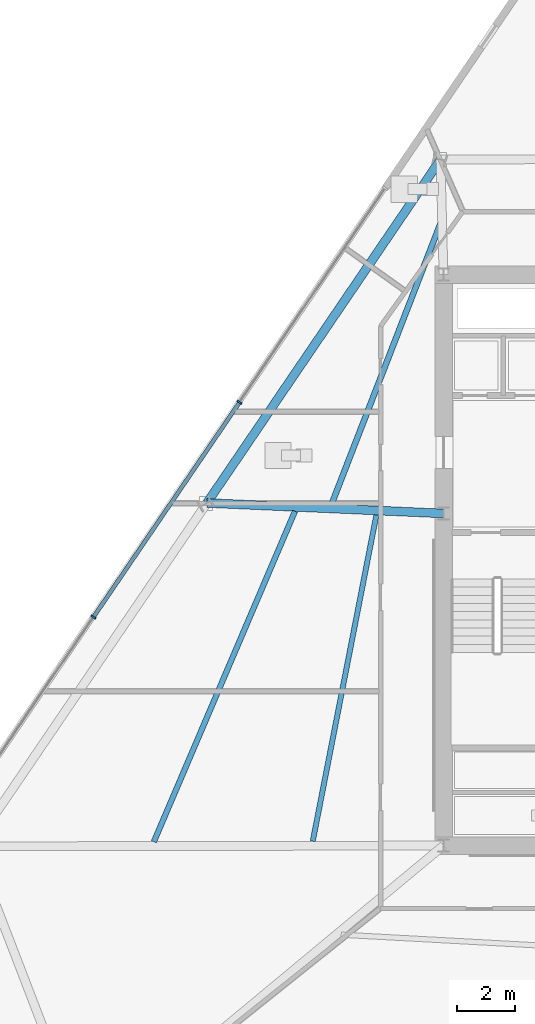
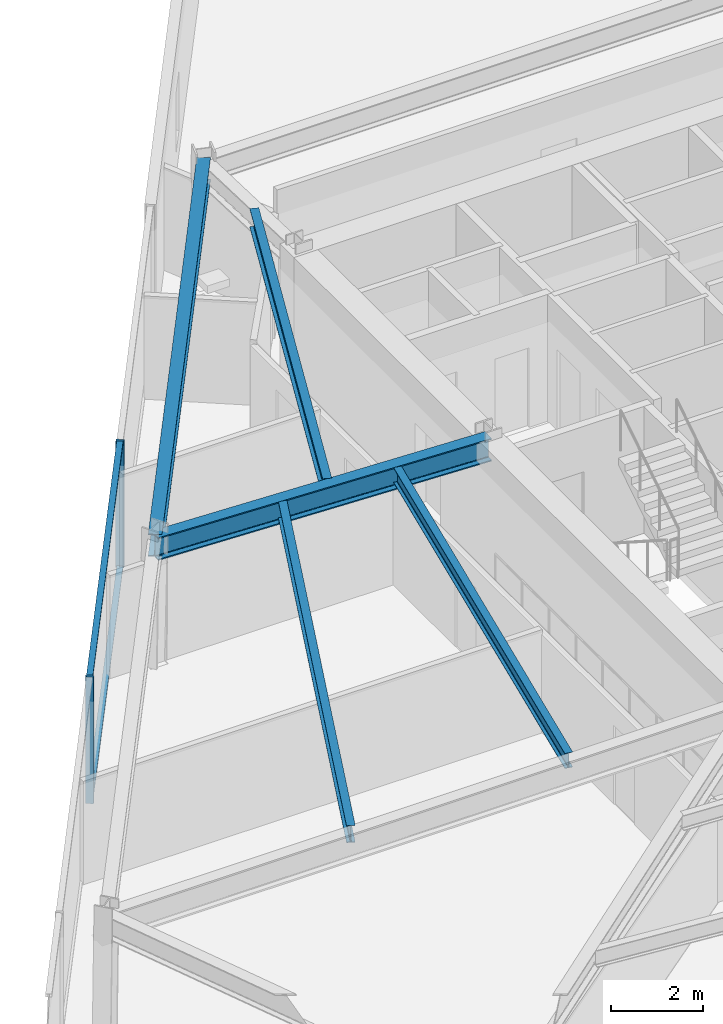
# One storey, part 4 of 18: 5 beams, 4 members, 1 element without a shape of its own.
"""IFC4 building model written with IfcOpenShell, lengths in metres."""

import ifcopenshell
import ifcopenshell.guid

model = None  # the IFC model being written
_history = None  # IfcOwnerHistory: only IFC2X3 demands one
_inside = {}  # id of a spatial element -> (the spatial element, [elements in it])
_under = {}  # id of a project, library or spatial element -> (it, [spatial elements below it])
_declared = {}  # id of a project -> (the project, [libraries it declares])
_typed = {}  # id of a type object -> (the type object, [elements of that type])
_made_of = {}  # id of a material, layer set ... -> (it, [elements and type objects made of it])


def new_model(schema):
    """Start an empty IFC model of exactly this schema.

    Asked for "IFC4X3", IfcOpenShell would pick the latest addendum, in which some entities
    have other attributes; the version numbers below select the first issue.
    IFC2X3 requires an IfcOwnerHistory on every rooted entity: one is made here for all.
    """
    global model, _history
    if schema == "IFC4X3":
        model = ifcopenshell.file(schema_version=(4, 3, 0, 0))
    else:
        model = ifcopenshell.file(schema=schema)
    _inside.clear()
    _under.clear()
    _declared.clear()
    _typed.clear()
    _made_of.clear()
    _history = None
    if model.schema == "IFC2X3":
        org = make("IfcOrganization", Name="unknown")
        user = make(
            "IfcPersonAndOrganization",
            ThePerson=make("IfcPerson", FamilyName="unknown"),
            TheOrganization=org,
        )
        app = make(
            "IfcApplication",
            ApplicationDeveloper=org,
            Version="unknown",
            ApplicationFullName="unknown",
            ApplicationIdentifier="unknown",
        )
        _history = make(
            "IfcOwnerHistory",
            OwningUser=user,
            OwningApplication=app,
            ChangeAction="ADDED",
            CreationDate=0,
        )
    return model


def make(cls, **values):
    """One entity of the class cls with the attributes given. An attribute that is None is left unset."""
    return model.create_entity(
        cls, **{name: value for name, value in values.items() if value is not None}
    )


def rooted(cls, **values):
    """An entity with a GlobalId (a new one), such as an element, a storey or a relation."""
    return make(cls, GlobalId=ifcopenshell.guid.new(), OwnerHistory=_history, **values)


def si_unit(unit_type, name, prefix=None):
    """IfcSIUnit, for example si_unit("LENGTHUNIT", "METRE", prefix="MILLI")."""
    return make("IfcSIUnit", UnitType=unit_type, Prefix=prefix, Name=name)


def assignment(units):
    """IfcUnitAssignment: the units of a project."""
    return None if units is None else make("IfcUnitAssignment", Units=units)


def point(xyz):
    """IfcCartesianPoint."""
    return None if xyz is None else make("IfcCartesianPoint", Coordinates=xyz)


def direction(xyz):
    """IfcDirection."""
    return None if xyz is None else make("IfcDirection", DirectionRatios=xyz)


def frame(location, z_axis=None, x_axis=None):
    """IfcAxis2Placement3D, a coordinate frame: its origin and axes. An axis left out is left unset."""
    return make(
        "IfcAxis2Placement3D",
        Location=point(location),
        Axis=direction(z_axis),
        RefDirection=direction(x_axis),
    )


def frame_2d(location, x_axis=None):
    """IfcAxis2Placement2D, a coordinate frame in the plane: its origin and x axis."""
    return make(
        "IfcAxis2Placement2D", Location=point(location), RefDirection=direction(x_axis)
    )


def origin():
    """The frame at (0, 0, 0) with its axes left unset."""
    return frame((0.0, 0.0, 0.0))


def origin_2d():
    """The frame at (0, 0) in the plane with its x axis left unset."""
    return frame_2d((0.0, 0.0))


def place(relative_to, where):
    """IfcLocalPlacement: puts the frame where relative to a parent placement (None: the world)."""
    return make(
        "IfcLocalPlacement", PlacementRelTo=relative_to, RelativePlacement=where
    )


def context(
    kind, dimensions, precision=None, world=None, true_north=None, identifier=None
):
    """IfcGeometricRepresentationContext, for example the 3D "Model" context."""
    return make(
        "IfcGeometricRepresentationContext",
        ContextIdentifier=identifier,
        ContextType=kind,
        CoordinateSpaceDimension=dimensions,
        Precision=precision,
        WorldCoordinateSystem=world,
        TrueNorth=true_north,
    )


def subcontext(parent, identifier, kind, view, scale=None):
    """IfcGeometricRepresentationSubContext, for example "Body" below "Model"."""
    return make(
        "IfcGeometricRepresentationSubContext",
        ContextIdentifier=identifier,
        ContextType=kind,
        ParentContext=parent,
        TargetScale=scale,
        TargetView=view,
    )


def project(units=None, contexts=None):
    """IfcProject with its units and contexts."""
    return rooted(
        "IfcProject",
        Name="project",
        RepresentationContexts=contexts,
        UnitsInContext=assignment(units),
    )


def spatial(cls, under=None, at=None, **own):
    """A site, building, storey or space (cls), placed at a placement, below another one or the project."""
    s = rooted(cls, ObjectPlacement=at, **own)
    if under is not None:
        _under.setdefault(under.id(), (under, []))[1].append(s)
    return s


def profile(cls, at=None, kind="AREA", **sizes):
    """A parametric profile (cls). Its sizes go by their IFC names, for example OverallWidth=200.0."""
    return make(cls, ProfileType=kind, Position=at, **sizes)


def rectangle(**sizes):
    """IfcRectangleProfileDef."""
    return profile("IfcRectangleProfileDef", **sizes)


def i_section(**sizes):
    """IfcIShapeProfileDef."""
    return profile("IfcIShapeProfileDef", **sizes)


def extrude(swept, where, along, depth):
    """IfcExtrudedAreaSolid: the profile swept, set in the frame where, extruded along a direction by depth."""
    return make(
        "IfcExtrudedAreaSolid",
        SweptArea=swept,
        Position=where,
        ExtrudedDirection=direction(along),
        Depth=depth,
    )


def shape(context_of_items, identifier, shape_type, items):
    """IfcShapeRepresentation: the items that make up one representation, for example the "Body"."""
    return make(
        "IfcShapeRepresentation",
        ContextOfItems=context_of_items,
        RepresentationIdentifier=identifier,
        RepresentationType=shape_type,
        Items=items,
    )


def material(Name=None, Category=None):
    """IfcMaterial."""
    return make("IfcMaterial", Name=Name, Category=Category)


def material_profile(
    of_material, cross_section, Name=None, Category=None, Priority=None
):
    """IfcMaterialProfile: a cross section and its material."""
    return make(
        "IfcMaterialProfile",
        Name=Name,
        Material=of_material,
        Profile=cross_section,
        Priority=Priority,
        Category=Category,
    )


def profile_set(profiles, Name=None, composite=None):
    """IfcMaterialProfileSet."""
    return make(
        "IfcMaterialProfileSet",
        Name=Name,
        MaterialProfiles=profiles,
        CompositeProfile=composite,
    )


def made_of(thing, what):
    """Note that an element or type object is made of a material, layer set ...; save() writes the relation."""
    if what is not None:
        _made_of.setdefault(what.id(), (what, []))[1].append(thing)
    return thing


def type_object(cls, material=None, **own):
    """A type object (cls), such as IfcWallType, which elements share."""
    return made_of(rooted(cls, **own), material)


def element(
    cls,
    number,
    at=None,
    inside=None,
    cuts=None,
    type_object=None,
    material=None,
    context=None,
    identifier="Body",
    shape_type=None,
    held_by="IfcProductDefinitionShape",
    body=None,
    shapes=None,
    **own,
):
    """One element of the class cls, such as IfcWall. Its Tag is "e" and its number.

    at: its placement. inside: the storey or other place that contains it. cuts: it is an
    opening in that element (IfcRelVoidsElement). A single representation is given by context,
    identifier, shape_type and body (its items); several are given by shapes. held_by: the class
    of the entity that holds the representations. save() writes the other relations.
    """
    e = rooted(cls, Tag="e%d" % number, ObjectPlacement=at, **own)
    if body is not None:
        shapes = [shape(context, identifier, shape_type, body)]
    if shapes is not None:
        e.Representation = make(held_by, Representations=shapes)
    if inside is not None:
        _inside.setdefault(inside.id(), (inside, []))[1].append(e)
    if cuts is not None:
        rooted(
            "IfcRelVoidsElement", RelatingBuildingElement=cuts, RelatedOpeningElement=e
        )
    if type_object is not None:
        _typed.setdefault(type_object.id(), (type_object, []))[1].append(e)
    return made_of(e, material)


def aggregate(whole, parts):
    """IfcRelAggregates: a whole, such as a stair, and the parts it consists of."""
    return rooted("IfcRelAggregates", RelatingObject=whole, RelatedObjects=parts)


def save(model, path):
    """Write the relations noted so far, then the file.

    IfcRelAggregates (storeys below a building ...), IfcRelContainedInSpatialStructure (elements
    in a storey), IfcRelDefinesByType, IfcRelAssociatesMaterial and IfcRelDeclares: one each for
    every whole, place, type object, material and project.
    """
    for whole, parts in _under.values():
        aggregate(whole, parts)
    for where, things in _inside.values():
        rooted(
            "IfcRelContainedInSpatialStructure",
            RelatedElements=things,
            RelatingStructure=where,
        )
    for kind, things in _typed.values():
        rooted("IfcRelDefinesByType", RelatedObjects=things, RelatingType=kind)
    for what, things in _made_of.values():
        rooted("IfcRelAssociatesMaterial", RelatedObjects=things, RelatingMaterial=what)
    for by, libraries in _declared.values():
        rooted("IfcRelDeclares", RelatingContext=by, RelatedDefinitions=libraries)
    model.write(path)


model = new_model("IFC4")

# Units and contexts
model_context = context("Model", 3, precision=1e-05, world=origin(), true_north=direction((0.0, 1.0)))
body_context = subcontext(model_context, "Body", "Model", "MODEL_VIEW")
ifc_project = project(units=[si_unit("LENGTHUNIT", "METRE"), si_unit("AREAUNIT", "SQUARE_METRE"), si_unit("VOLUMEUNIT", "CUBIC_METRE"), si_unit("PLANEANGLEUNIT", "RADIAN"), si_unit("MASSUNIT", "GRAM", prefix="KILO")], contexts=[model_context])

# Site, building, storey
site_placement = place(None, origin())
site = spatial("IfcSite", under=ifc_project, at=site_placement, CompositionType="ELEMENT")
building_placement = place(site_placement, origin())
building = spatial("IfcBuilding", under=site, at=building_placement, Name="Savorim Split Tower", CompositionType="ELEMENT")
storey_placement = place(building_placement, frame((0.0, 0.0, 44.39990234375)))
storey = spatial("IfcBuildingStorey", under=building, at=storey_placement, Name="L11", CompositionType="ELEMENT", Elevation=44.39990234375)

# Beams
ifc_material_1 = material(Name="Steel S355", Category="steel")
ifc_material_profile_1 = material_profile(ifc_material_1, i_section(OverallWidth=0.179931640625, OverallDepth=0.39990234375, WebThickness=0.008544921875, FlangeThickness=0.013427734375, FilletRadius=0.02099609375, at=origin_2d()), Name="IPE 400")
ifc_profile_set_1 = profile_set([ifc_material_profile_1], Name="Steel S355")
beam_type_1 = type_object("IfcBeamType", Name="BM-JST-IPE400", PredefinedType="JOIST", material=ifc_profile_set_1)
beam_1_placement = place(storey_placement, frame((-10.00439453125, 1.94384765625, 3.150146484375), z_axis=(-0.19145402918, -0.981501581614, 0.0), x_axis=(0.981501581614, -0.19145402918, 0.0)))
element("IfcBeam", 1, at=beam_1_placement, inside=storey, type_object=beam_type_1, Name="L11 Secondary Floor Joist JS-11", PredefinedType="JOIST", context=body_context, shape_type="SweptSolid", body=[
    extrude(i_section(OverallWidth=0.179931640625, OverallDepth=0.39990234375, WebThickness=0.008544921875, FlangeThickness=0.013427734375, FilletRadius=0.02099609375, at=origin_2d()), origin(), (0.0, 0.0, 1.0), 11.4052734375),
])
ifc_material_profile_2 = material_profile(ifc_material_1, i_section(OverallWidth=0.18994140625, OverallDepth=0.449951171875, WebThickness=0.009521484375, FlangeThickness=0.0146484375, FilletRadius=0.02099609375, at=origin_2d()), Name="IPE 450")
ifc_profile_set_2 = profile_set([ifc_material_profile_2], Name="Steel S355")
beam_type_2 = type_object("IfcBeamType", Name="BM-JST-IPE450", PredefinedType="JOIST", material=ifc_profile_set_2)
beam_2_placement = place(storey_placement, frame((-12.79736328125, 2.076171875, 3.125), z_axis=(-0.392763004932, -0.919639723999, 0.0), x_axis=(0.919639723999, -0.392763004932, 0.0)))
element("IfcBeam", 2, at=beam_2_placement, inside=storey, type_object=beam_type_2, Name="L11 Secondary Floor Joist JS-10", PredefinedType="JOIST", context=body_context, shape_type="SweptSolid", body=[
    extrude(i_section(OverallWidth=0.18994140625, OverallDepth=0.449951171875, WebThickness=0.009521484375, FlangeThickness=0.0146484375, FilletRadius=0.02099609375, at=origin_2d()), origin(), (0.0, 0.0, 1.0), 12.3369140625),
])
ifc_material_profile_3 = material_profile(ifc_material_1, i_section(OverallWidth=0.199951171875, OverallDepth=0.5, WebThickness=0.01025390625, FlangeThickness=0.01611328125, FilletRadius=0.02099609375, at=origin_2d()), Name="IPE 500")
ifc_profile_set_3 = profile_set([ifc_material_profile_3], Name="Steel S355")
beam_type_3 = type_object("IfcBeamType", Name="BM-JST-IPE500", PredefinedType="JOIST", material=ifc_profile_set_3)
beam_3_placement = place(storey_placement, frame((-7.806884765625, 11.9453125, 3.10009765625), z_axis=(-0.361648281069, -0.932314603983, 0.0), x_axis=(0.932314603983, -0.361648281069, 0.0)))
element("IfcBeam", 3, at=beam_3_placement, inside=storey, type_object=beam_type_3, Name="L11 Secondary Floor Joist JS-09", PredefinedType="JOIST", context=body_context, shape_type="SweptSolid", body=[
    extrude(i_section(OverallWidth=0.199951171875, OverallDepth=0.5, WebThickness=0.01025390625, FlangeThickness=0.01611328125, FilletRadius=0.02099609375, at=origin_2d()), origin(), (0.0, 0.0, 1.0), 10.322021484375),
])
ifc_material_profile_4 = material_profile(ifc_material_1, i_section(OverallWidth=0.300048828125, OverallDepth=0.60009765625, WebThickness=0.015380859375, FlangeThickness=0.030029296875, FilletRadius=0.027099609375, at=origin_2d()), Name="HEB 600")
ifc_profile_set_4 = profile_set([ifc_material_profile_4], Name="Steel S355")
beam_type_4 = type_object("IfcBeamType", Name="BM-PRI-HEB600", PredefinedType="BEAM", material=ifc_profile_set_4)
beam_4_placement = place(storey_placement, frame((-15.8203125, 2.360107421875, 3.050048828125), z_axis=(0.999018153812, -0.044302690144, 0.0), x_axis=(0.044302690144, 0.999018153812, 0.0)))
element("IfcBeam", 4, at=beam_4_placement, inside=storey, type_object=beam_type_4, Name="L11 Primary Floor Girder RG-09", PredefinedType="BEAM", context=body_context, shape_type="SweptSolid", body=[
    extrude(i_section(OverallWidth=0.300048828125, OverallDepth=0.60009765625, WebThickness=0.015380859375, FlangeThickness=0.030029296875, FilletRadius=0.027099609375, at=origin_2d()), origin(), (0.0, 0.0, 1.0), 8.12841796875),
])
ifc_material_profile_5 = material_profile(ifc_material_1, i_section(OverallWidth=0.300048828125, OverallDepth=0.590087890625, WebThickness=0.012939453125, FlangeThickness=0.02490234375, FilletRadius=0.027099609375, at=origin_2d()), Name="HEA 600")
ifc_profile_set_5 = profile_set([ifc_material_profile_5], Name="Steel S355")
beam_type_5 = type_object("IfcBeamType", Name="BM-SPN-HEA600", PredefinedType="SPANDREL", material=ifc_profile_set_5)
beam_5_placement = place(storey_placement, frame((-7.802001953125, 14.146484375, 3.05517578125), z_axis=(-0.562481460427, -0.826809897544, 0.0), x_axis=(0.826809897544, -0.562481460427, 0.0)))
element("IfcBeam", 5, at=beam_5_placement, inside=storey, type_object=beam_type_5, Name="L11 Perimeter Spandrel Beam 8", PredefinedType="SPANDREL", context=body_context, shape_type="SweptSolid", body=[
    extrude(i_section(OverallWidth=0.300048828125, OverallDepth=0.590087890625, WebThickness=0.012939453125, FlangeThickness=0.02490234375, FilletRadius=0.027099609375, at=origin_2d()), origin(), (0.0, 0.0, 1.0), 14.255126953125),
])

# Curtain wall, members
ifc_material_2 = material(Name="Dark Ceramic-Fritted Insulated Glass", Category="glass")
curtain_wall_type = type_object("IfcCurtainWallType", Name="CW-TWR-FRIT-A", PredefinedType="NOTDEFINED", material=ifc_material_2)
curtain_wall_placement = place(storey_placement, origin())
curtain_wall = element("IfcCurtainWall", 6, at=curtain_wall_placement, inside=storey, type_object=curtain_wall_type, Name="L11 Curtain Wall CW-L11-WEST", PredefinedType="NOTDEFINED")
ifc_material_3 = material(Name="Charcoal Anodised Aluminium", Category="aluminium")
ifc_material_profile_6 = material_profile(ifc_material_3, rectangle(XDim=0.179931640625, YDim=0.06494140625, at=origin_2d()), Name="ALU-M 180x65")
ifc_profile_set_6 = profile_set([ifc_material_profile_6], Name="Charcoal Anodised Aluminium")
member_type_1 = type_object("IfcMemberType", Name="CWM-180x65", PredefinedType="MULLION", material=ifc_profile_set_6)
member_1_placement = place(storey_placement, frame((-14.700927734375, 5.81591796875, 0.0), z_axis=(0.0, 0.0, 1.0), x_axis=(0.826820923165, -0.562465253164, 0.0)))
member_1 = element("IfcMember", 7, at=member_1_placement, type_object=member_type_1, Name="CW-02 mullion 2", PredefinedType="MULLION", context=body_context, shape_type="SweptSolid", body=[
    extrude(rectangle(XDim=0.179931640625, YDim=0.06494140625, at=origin_2d()), origin(), (0.0, 0.0, 1.0), 3.35009765625),
])
member_2_placement = place(storey_placement, frame((-19.718017578125, -1.55908203125, 0.0), z_axis=(0.0, 0.0, 1.0), x_axis=(0.826820923165, -0.562465253164, 0.0)))
member_2 = element("IfcMember", 8, at=member_2_placement, type_object=member_type_1, Name="CW-02 mullion 3", PredefinedType="MULLION", context=body_context, shape_type="SweptSolid", body=[
    extrude(rectangle(XDim=0.179931640625, YDim=0.06494140625, at=origin_2d()), origin(), (0.0, 0.0, 1.0), 3.35009765625),
])
ifc_material_profile_7 = material_profile(ifc_material_3, rectangle(XDim=0.139892578125, YDim=0.054931640625, at=origin_2d()), Name="ALU-T 140x55")
ifc_profile_set_7 = profile_set([ifc_material_profile_7], Name="Charcoal Anodised Aluminium")
member_type_2 = type_object("IfcMemberType", Name="CWT-140x55", PredefinedType="USERDEFINED", material=ifc_profile_set_7)
member_3_placement = place(storey_placement, frame((-14.71923828125, 5.7890625, 0.027587890625), z_axis=(-0.562463858464, -0.826821871942, 0.0), x_axis=(0.826821871942, -0.562463858464, 0.0)))
member_3 = element("IfcMember", 9, at=member_3_placement, type_object=member_type_2, Name="CW-02 transom 2.1", ObjectType="TRANSOM", PredefinedType="USERDEFINED", context=body_context, shape_type="SweptSolid", body=[
    extrude(rectangle(XDim=0.139892578125, YDim=0.054931640625, at=origin_2d()), origin(), (0.0, 0.0, 1.0), 8.854736328125),
])
member_4_placement = place(storey_placement, frame((-14.71923828125, 5.7890625, 3.322509765625), z_axis=(-0.562463858464, -0.826821871942, 0.0), x_axis=(0.826821871942, -0.562463858464, 0.0)))
member_4 = element("IfcMember", 10, at=member_4_placement, type_object=member_type_2, Name="CW-02 transom 2.2", ObjectType="TRANSOM", PredefinedType="USERDEFINED", context=body_context, shape_type="SweptSolid", body=[
    extrude(rectangle(XDim=0.139892578125, YDim=0.054931640625, at=origin_2d()), origin(), (0.0, 0.0, 1.0), 8.854736328125),
])
aggregate(curtain_wall, [member_1, member_2, member_3, member_4])

save(model, "model.ifc")
